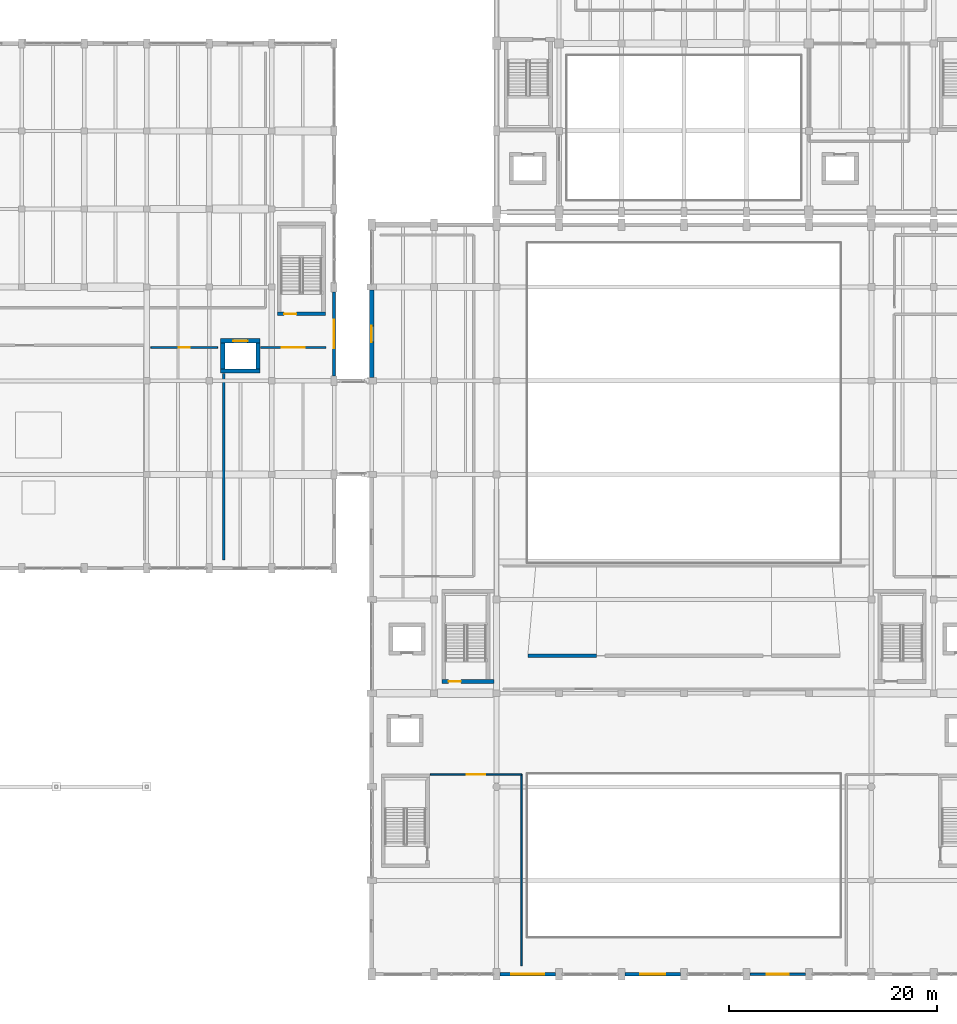
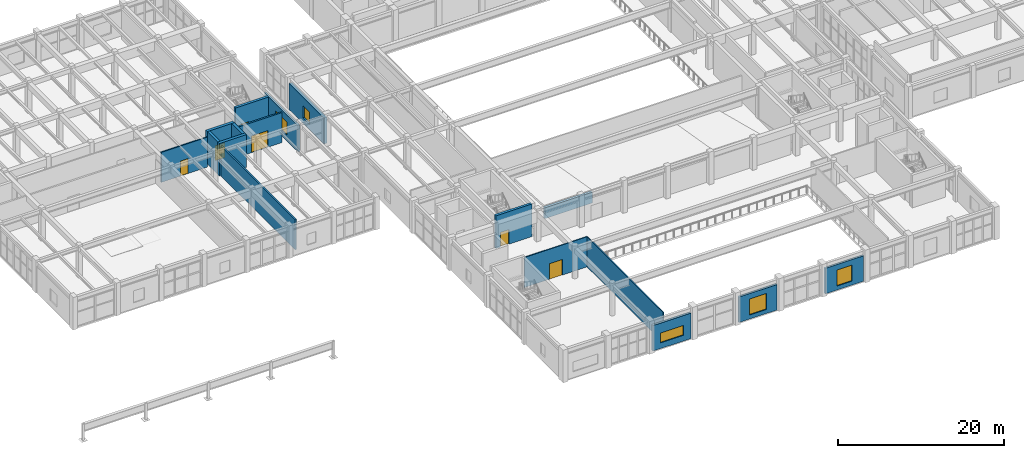
# One storey, part 61 of 85: 17 walls, 6 doors, 5 windows, 11 openings.
"""IFC4 building model written with IfcOpenShell, lengths in metres."""

from ifc_helpers import new_model, si_unit, direction, frame, frame_2d, origin, place, context, subcontext, project, spatial, rectangle, extrude, material, layer, layer_set, type_object, element, fill, save


model = new_model("IFC4")

# Units and contexts
model_context = context("Model", 3, precision=1e-05, world=origin(), true_north=direction((0.0, 1.0)))
body_context = subcontext(model_context, "Body", "Model", "MODEL_VIEW")
ifc_project = project(units=[si_unit("LENGTHUNIT", "METRE"), si_unit("AREAUNIT", "SQUARE_METRE"), si_unit("VOLUMEUNIT", "CUBIC_METRE"), si_unit("PLANEANGLEUNIT", "RADIAN"), si_unit("MASSUNIT", "GRAM", prefix="KILO")], contexts=[model_context])

# Site, building, storey
site_placement = place(None, origin())
site = spatial("IfcSite", under=ifc_project, at=site_placement, CompositionType="ELEMENT")
building_placement = place(site_placement, origin())
building = spatial("IfcBuilding", under=site, at=building_placement, Name="Vaelkrest Opera House", CompositionType="ELEMENT")
storey_placement = place(building_placement, frame((0.0, 0.0, 10.199951171875)))
storey = spatial("IfcBuildingStorey", under=building, at=storey_placement, Name="L02", CompositionType="ELEMENT", Elevation=10.199951171875)

# Wall, opening, window
ifc_material_1 = material(Name="Douglas fir glulam GL28h", Category="wood")
ifc_layer_1 = layer(ifc_material_1, 0.27490234375)
ifc_layer_set_1 = layer_set([ifc_layer_1], Name="Douglas fir glulam GL28h")
wall_type_1 = type_object("IfcWallType", Name="EW02", PredefinedType="STANDARD", material=ifc_layer_set_1)
wall_1_placement = place(storey_placement, frame((11.652099609375, -55.800048828125, 0.0), z_axis=(0.0, 0.0, 1.0), x_axis=(-1.0, 0.0, 0.0)))
wall_1 = element("IfcWall", 1, at=wall_1_placement, inside=storey, type_object=wall_type_1, Name="Exterior facade wall EW-V1-L02-0052", PredefinedType="STANDARD", context=body_context, shape_type="SweptSolid", body=[
    extrude(rectangle(XDim=5.30419921875, YDim=0.27490234375, at=frame_2d((2.652099609375, 0.0))), origin(), (0.0, 0.0, 1.0), 3.7451171875),
])
opening_1_placement = place(wall_1_placement, frame((1.60205078125, 0.0, 0.60009765625)))
opening_1 = element("IfcOpeningElement", 2, at=opening_1_placement, cuts=wall_1, Name="Opening WN023", PredefinedType="OPENING", context=body_context, shape_type="SweptSolid", body=[
    extrude(rectangle(XDim=2.10009765625, YDim=2.35009765625, at=frame_2d((1.050048828125, 1.175048828125))), frame((0.0, 0.1474609375, 0.0), z_axis=(0.0, -1.0, 0.0), x_axis=(1.0, 0.0, 0.0)), (0.0, 0.0, 1.0), 0.294921875),
])
ifc_material_2 = material(Name="Double low-E insulated glazing", Category="glass")
window_type_1 = type_object("IfcWindowType", Name="WT23", PartitioningType="SINGLE_PANEL", PredefinedType="WINDOW", material=ifc_material_2)
window_1_placement = place(opening_1_placement, origin())
window_1 = element("IfcWindow", 3, at=window_1_placement, inside=storey, type_object=window_type_1, Name="Facade window WN023", OverallHeight=2.35009765625, OverallWidth=2.10009765625, PartitioningType="SINGLE_PANEL", PredefinedType="WINDOW", context=body_context, shape_type="SweptSolid", body=[
    extrude(rectangle(XDim=2.10009765625, YDim=2.35009765625, at=frame_2d((1.050048828125, 1.175048828125))), frame((0.0, 0.030029296875, 0.0), z_axis=(0.0, -1.0, 0.0), x_axis=(1.0, 0.0, 0.0)), (0.0, 0.0, 1.0), 0.06005859375),
])
fill(opening_1, window_1)

wall_2_placement = place(storey_placement, frame((-33.60009765625, 9.751953125, 0.0), z_axis=(0.0, 0.0, 1.0), x_axis=(0.0, -1.0, 0.0)))
wall_2 = element("IfcWall", 4, at=wall_2_placement, inside=storey, type_object=wall_type_1, Name="Exterior facade wall EW-V3-L02-0182", PredefinedType="STANDARD", context=body_context, shape_type="SweptSolid", body=[
    extrude(rectangle(XDim=8.10400390625, YDim=0.27490234375, at=frame_2d((4.052001953125, 0.0))), origin(), (0.0, 0.0, 1.0), 3.8291015625),
])
opening_2_placement = place(wall_2_placement, frame((2.677001953125, 0.0, 0.85009765625)))
opening_2 = element("IfcOpeningElement", 5, at=opening_2_placement, cuts=wall_2, Name="Opening WN090", PredefinedType="OPENING", context=body_context, shape_type="SweptSolid", body=[
    extrude(rectangle(XDim=2.75, YDim=1.949951171875, at=frame_2d((1.375, 0.97509765625))), frame((0.0, 0.1474609375, 0.0), z_axis=(0.0, -1.0, 0.0), x_axis=(1.0, 0.0, 0.0)), (0.0, 0.0, 1.0), 0.294921875),
])
window_type_2 = type_object("IfcWindowType", Name="WT12", PartitioningType="SINGLE_PANEL", PredefinedType="WINDOW", material=ifc_material_2)
window_2_placement = place(opening_2_placement, origin())
window_2 = element("IfcWindow", 6, at=window_2_placement, inside=storey, type_object=window_type_2, Name="Facade window WN090", OverallHeight=1.949951171875, OverallWidth=2.75, PartitioningType="SINGLE_PANEL", PredefinedType="WINDOW", context=body_context, shape_type="SweptSolid", body=[
    extrude(rectangle(XDim=2.75, YDim=1.949951171875, at=frame_2d((1.375, 0.97509765625))), frame((0.0, 0.030029296875, 0.0), z_axis=(0.0, -1.0, 0.0), x_axis=(1.0, 0.0, 0.0)), (0.0, 0.0, 1.0), 0.06005859375),
])
fill(opening_2, window_2)

ifc_layer_2 = layer(ifc_material_1, 0.294921875)
ifc_layer_set_2 = layer_set([ifc_layer_2], Name="Douglas fir glulam GL28h")
wall_type_2 = type_object("IfcWallType", Name="EW03", PredefinedType="STANDARD", material=ifc_layer_set_2)
wall_3_placement = place(storey_placement, frame((-0.347900390625, -55.800048828125, 0.0), z_axis=(0.0, 0.0, 1.0), x_axis=(-1.0, 0.0, 0.0)))
wall_3 = element("IfcWall", 7, at=wall_3_placement, inside=storey, type_object=wall_type_2, Name="Exterior facade wall EW-V1-L02-0053", PredefinedType="STANDARD", context=body_context, shape_type="SweptSolid", body=[
    extrude(rectangle(XDim=5.30419921875, YDim=0.294921875, at=frame_2d((2.652099609375, 0.0))), origin(), (0.0, 0.0, 1.0), 3.7451171875),
])
opening_3_placement = place(wall_3_placement, frame((1.451904296875, 0.0, 0.60009765625)))
opening_3 = element("IfcOpeningElement", 8, at=opening_3_placement, cuts=wall_3, Name="Opening WN024", PredefinedType="OPENING", context=body_context, shape_type="SweptSolid", body=[
    extrude(rectangle(XDim=2.39990234375, YDim=2.35009765625, at=frame_2d((1.199951171875, 1.175048828125))), frame((0.0, 0.157470703125, 0.0), z_axis=(0.0, -1.0, 0.0), x_axis=(1.0, 0.0, 0.0)), (0.0, 0.0, 1.0), 0.31494140625),
])
window_type_3 = type_object("IfcWindowType", Name="WT24", PartitioningType="SINGLE_PANEL", PredefinedType="WINDOW", material=ifc_material_2)
window_3_placement = place(opening_3_placement, origin())
window_3 = element("IfcWindow", 9, at=window_3_placement, inside=storey, type_object=window_type_3, Name="Facade window WN024", OverallHeight=2.35009765625, OverallWidth=2.39990234375, PartitioningType="SINGLE_PANEL", PredefinedType="WINDOW", context=body_context, shape_type="SweptSolid", body=[
    extrude(rectangle(XDim=2.39990234375, YDim=2.35009765625, at=frame_2d((1.199951171875, 1.175048828125))), frame((0.0, 0.030029296875, 0.0), z_axis=(0.0, -1.0, 0.0), x_axis=(1.0, 0.0, 0.0)), (0.0, 0.0, 1.0), 0.06005859375),
])
fill(opening_3, window_3)

ifc_material_3 = material(Name="American black walnut acoustic timber", Category="wood")
ifc_layer_3 = layer(ifc_material_3, 0.31494140625)
ifc_layer_set_3 = layer_set([ifc_layer_3], Name="American black walnut acoustic timber")
wall_type_3 = type_object("IfcWallType", Name="EW04", PredefinedType="STANDARD", material=ifc_layer_set_3)
wall_4_placement = place(storey_placement, frame((-12.347900390625, -55.800048828125, 0.0), z_axis=(0.0, 0.0, 1.0), x_axis=(-1.0, 0.0, 0.0)))
wall_4 = element("IfcWall", 10, at=wall_4_placement, inside=storey, type_object=wall_type_3, Name="Exterior facade wall EW-V1-L02-0054", PredefinedType="STANDARD", context=body_context, shape_type="SweptSolid", body=[
    extrude(rectangle(XDim=5.30419921875, YDim=0.31494140625, at=frame_2d((2.652099609375, 0.0))), origin(), (0.0, 0.0, 1.0), 3.7451171875),
])
opening_4_placement = place(wall_4_placement, frame((1.052001953125, 0.0, 0.85009765625)))
opening_4 = element("IfcOpeningElement", 11, at=opening_4_placement, cuts=wall_4, Name="Opening WN025", PredefinedType="OPENING", context=body_context, shape_type="SweptSolid", body=[
    extrude(rectangle(XDim=3.199951171875, YDim=1.449951171875, at=frame_2d((1.60009765625, 0.72509765625))), frame((0.0, 0.16748046875, 0.0), z_axis=(0.0, -1.0, 0.0), x_axis=(1.0, 0.0, 0.0)), (0.0, 0.0, 1.0), 0.3349609375),
])
window_type_4 = type_object("IfcWindowType", Name="WT25", PartitioningType="SINGLE_PANEL", PredefinedType="WINDOW", material=ifc_material_2)
window_4_placement = place(opening_4_placement, origin())
window_4 = element("IfcWindow", 12, at=window_4_placement, inside=storey, type_object=window_type_4, Name="Facade window WN025", OverallHeight=1.449951171875, OverallWidth=3.199951171875, PartitioningType="SINGLE_PANEL", PredefinedType="WINDOW", context=body_context, shape_type="SweptSolid", body=[
    extrude(rectangle(XDim=3.199951171875, YDim=1.449951171875, at=frame_2d((1.60009765625, 0.72509765625))), frame((0.0, 0.030029296875, 0.0), z_axis=(0.0, -1.0, 0.0), x_axis=(1.0, 0.0, 0.0)), (0.0, 0.0, 1.0), 0.06005859375),
])
fill(opening_4, window_4)

ifc_material_4 = material(Name="Concrete C40/50", Category="concrete")
ifc_layer_4 = layer(ifc_material_4, 0.43505859375)
ifc_layer_set_4 = layer_set([ifc_layer_4], Name="Concrete C40/50")
wall_type_4 = type_object("IfcWallType", Name="EW09", PredefinedType="STANDARD", material=ifc_layer_set_4)
wall_5_placement = place(storey_placement, frame((-30.0, 1.498046875, 0.0), z_axis=(0.0, 0.0, 1.0), x_axis=(0.0, 1.0, 0.0)))
wall_5 = element("IfcWall", 13, at=wall_5_placement, inside=storey, type_object=wall_type_4, Name="Exterior facade wall EW-V1-L02-0059", PredefinedType="STANDARD", context=body_context, shape_type="SweptSolid", body=[
    extrude(rectangle(XDim=8.404052734375, YDim=0.43505859375, at=frame_2d((4.2021484375, 0.0))), origin(), (0.0, 0.0, 1.0), 3.8291015625),
])
opening_5_placement = place(wall_5_placement, frame((3.427001953125, 0.0, 0.85009765625)))
opening_5 = element("IfcOpeningElement", 14, at=opening_5_placement, cuts=wall_5, Name="Opening WN030", PredefinedType="OPENING", context=body_context, shape_type="SweptSolid", body=[
    extrude(rectangle(XDim=1.550048828125, YDim=1.75, at=frame_2d((0.77490234375, 0.875))), frame((0.0, 0.2275390625, 0.0), z_axis=(0.0, -1.0, 0.0), x_axis=(1.0, 0.0, 0.0)), (0.0, 0.0, 1.0), 0.455078125),
])
window_type_5 = type_object("IfcWindowType", Name="WT04", PartitioningType="SINGLE_PANEL", PredefinedType="WINDOW", material=ifc_material_2)
window_5_placement = place(opening_5_placement, origin())
window_5 = element("IfcWindow", 15, at=window_5_placement, inside=storey, type_object=window_type_5, Name="Facade window WN030", OverallHeight=1.75, OverallWidth=1.550048828125, PartitioningType="SINGLE_PANEL", PredefinedType="WINDOW", context=body_context, shape_type="SweptSolid", body=[
    extrude(rectangle(XDim=1.550048828125, YDim=1.75, at=frame_2d((0.77490234375, 0.875))), frame((0.0, 0.030029296875, 0.0), z_axis=(0.0, -1.0, 0.0), x_axis=(1.0, 0.0, 0.0)), (0.0, 0.0, 1.0), 0.06005859375),
])
fill(opening_5, window_5)

# Wall, opening, door
ifc_material_5 = material(Name="Gypsum acoustic board", Category="gypsum")
ifc_layer_5 = layer(ifc_material_5, 0.135009765625)
ifc_layer_set_5 = layer_set([ifc_layer_5], Name="Gypsum acoustic board")
wall_type_5 = type_object("IfcWallType", Name="PT02", PredefinedType="PARTITIONING", material=ifc_layer_set_5)
wall_6_placement = place(storey_placement, frame((-24.35009765625, -36.60009765625, 0.0), z_axis=(0.0, 0.0, 1.0), x_axis=(1.0, 0.0, 0.0)))
wall_6 = element("IfcWall", 16, at=wall_6_placement, inside=storey, type_object=wall_type_5, Name="Interior partition PT-V1-L02-0072", PredefinedType="PARTITIONING", context=body_context, shape_type="SweptSolid", body=[
    extrude(rectangle(XDim=8.75, YDim=0.135009765625, at=frame_2d((4.375, 0.0))), origin(), (0.0, 0.0, 1.0), 4.420166015625),
])
opening_6_placement = place(wall_6_placement, frame((3.485107421875, 0.0, 0.0)))
opening_6 = element("IfcOpeningElement", 17, at=opening_6_placement, cuts=wall_6, Name="Opening D028", PredefinedType="OPENING", context=body_context, shape_type="SweptSolid", body=[
    extrude(rectangle(XDim=1.780029296875, YDim=2.300048828125, at=frame_2d((0.89013671875, 1.14990234375))), frame((0.0, 0.077392578125, 0.0), z_axis=(0.0, -1.0, 0.0), x_axis=(1.0, 0.0, 0.0)), (0.0, 0.0, 1.0), 0.155029296875),
])
door_type_1 = type_object("IfcDoorType", Name="DT20", OperationType="DOUBLE_DOOR_SINGLE_SWING", PredefinedType="DOOR", material=ifc_material_3)
door_1_placement = place(opening_6_placement, origin())
door_1 = element("IfcDoor", 18, at=door_1_placement, inside=storey, type_object=door_type_1, Name="Interior door D028 (Mezzo Foyer)", OperationType="DOUBLE_DOOR_SINGLE_SWING", OverallHeight=2.300048828125, OverallWidth=1.780029296875, PredefinedType="DOOR", context=body_context, shape_type="SweptSolid", body=[
    extrude(rectangle(XDim=1.780029296875, YDim=2.300048828125, at=frame_2d((0.89013671875, 1.14990234375))), frame((0.0, 0.02490234375, 0.0), z_axis=(0.0, -1.0, 0.0), x_axis=(1.0, 0.0, 0.0)), (0.0, 0.0, 1.0), 0.050048828125),
])
fill(opening_6, door_1)

# Wall
ifc_layer_6 = layer(ifc_material_5, 0.14990234375)
ifc_layer_set_6 = layer_set([ifc_layer_6], Name="Gypsum acoustic board")
wall_type_6 = type_object("IfcWallType", Name="PT03", PredefinedType="PARTITIONING", material=ifc_layer_set_6)
wall_7_placement = place(storey_placement, frame((-15.60009765625, -55.0, 0.0), z_axis=(0.0, 0.0, 1.0), x_axis=(0.0, 1.0, 0.0)))
element("IfcWall", 19, at=wall_7_placement, inside=storey, type_object=wall_type_6, Name="Interior partition PT-V1-L02-0073", PredefinedType="PARTITIONING", context=body_context, shape_type="SweptSolid", body=[
    extrude(rectangle(XDim=18.39990234375, YDim=0.14990234375, at=frame_2d((9.199951171875, 0.0))), origin(), (0.0, 0.0, 1.0), 4.420166015625),
])

# Wall, opening, door
ifc_layer_7 = layer(ifc_material_5, 0.1650390625)
ifc_layer_set_7 = layer_set([ifc_layer_7], Name="Gypsum acoustic board")
wall_type_7 = type_object("IfcWallType", Name="PT04", PredefinedType="PARTITIONING", material=ifc_layer_set_7)
wall_8_placement = place(storey_placement, frame((-51.199951171875, 4.39990234375, 0.0), z_axis=(0.0, 0.0, 1.0), x_axis=(1.0, 0.0, 0.0)))
wall_8 = element("IfcWall", 20, at=wall_8_placement, inside=storey, type_object=wall_type_7, Name="Interior partition PT-V3-L02-0298", PredefinedType="PARTITIONING", context=body_context, shape_type="SweptSolid", body=[
    extrude(rectangle(XDim=6.39990234375, YDim=0.1650390625, at=frame_2d((3.199951171875, 0.0))), origin(), (0.0, 0.0, 1.0), 4.420166015625),
])
opening_7_placement = place(wall_8_placement, frame((2.679931640625, 0.0, 0.0)))
opening_7 = element("IfcOpeningElement", 21, at=opening_7_placement, cuts=wall_8, Name="Opening D118", PredefinedType="OPENING", context=body_context, shape_type="SweptSolid", body=[
    extrude(rectangle(XDim=1.0400390625, YDim=2.199951171875, at=frame_2d((0.52001953125, 1.10009765625))), frame((0.0, 0.092529296875, 0.0), z_axis=(0.0, -1.0, 0.0), x_axis=(1.0, 0.0, 0.0)), (0.0, 0.0, 1.0), 0.18505859375),
])
door_type_2 = type_object("IfcDoorType", Name="DT22", OperationType="NOTDEFINED", PredefinedType="DOOR", material=ifc_material_3)
door_2_placement = place(opening_7_placement, origin())
door_2 = element("IfcDoor", 22, at=door_2_placement, inside=storey, type_object=door_type_2, Name="Interior door D118 (Community Room)", OperationType="SINGLE_SWING_RIGHT", OverallHeight=2.199951171875, OverallWidth=1.0400390625, PredefinedType="DOOR", context=body_context, shape_type="SweptSolid", body=[
    extrude(rectangle(XDim=1.0400390625, YDim=2.199951171875, at=frame_2d((0.52001953125, 1.10009765625))), frame((0.0, 0.02490234375, 0.0), z_axis=(0.0, -1.0, 0.0), x_axis=(1.0, 0.0, 0.0)), (0.0, 0.0, 1.0), 0.050048828125),
])
fill(opening_7, door_2)

# Wall
ifc_layer_8 = layer(ifc_material_3, 0.2099609375)
ifc_layer_set_8 = layer_set([ifc_layer_8], Name="American black walnut acoustic timber")
wall_type_8 = type_object("IfcWallType", Name="PT07", PredefinedType="PARTITIONING", material=ifc_layer_set_8)
wall_9_placement = place(storey_placement, frame((-44.199951171875, -16.0, 0.0), z_axis=(0.0, 0.0, 1.0), x_axis=(0.0, 1.0, 0.0)))
element("IfcWall", 23, at=wall_9_placement, inside=storey, type_object=wall_type_8, Name="Interior partition PT-V3-L02-0303", PredefinedType="PARTITIONING", context=body_context, shape_type="SweptSolid", body=[
    extrude(rectangle(XDim=17.89990234375, YDim=0.2099609375, at=frame_2d((8.949951171875, 0.0))), origin(), (0.0, 0.0, 1.0), 4.420166015625),
])

# Wall, opening, door
ifc_layer_9 = layer(ifc_material_3, 0.22509765625)
ifc_layer_set_9 = layer_set([ifc_layer_9], Name="American black walnut acoustic timber")
wall_type_9 = type_object("IfcWallType", Name="PT08", PredefinedType="PARTITIONING", material=ifc_layer_set_9)
wall_10_placement = place(storey_placement, frame((-40.64990234375, 4.39990234375, 0.0), z_axis=(0.0, 0.0, 1.0), x_axis=(1.0, 0.0, 0.0)))
wall_10 = element("IfcWall", 24, at=wall_10_placement, inside=storey, type_object=wall_type_9, Name="Interior partition PT-V3-L02-0302", PredefinedType="PARTITIONING", context=body_context, shape_type="SweptSolid", body=[
    extrude(rectangle(XDim=6.25, YDim=0.22509765625, at=frame_2d((3.125, 0.0))), origin(), (0.0, 0.0, 1.0), 4.420166015625),
])
opening_8_placement = place(wall_10_placement, frame((2.0, 0.0, 0.0)))
opening_8 = element("IfcOpeningElement", 25, at=opening_8_placement, cuts=wall_10, Name="Opening D120", PredefinedType="OPENING", context=body_context, shape_type="SweptSolid", body=[
    extrude(rectangle(XDim=2.25, YDim=2.449951171875, at=frame_2d((1.125, 1.22509765625))), frame((0.0, 0.12255859375, 0.0), z_axis=(0.0, -1.0, 0.0), x_axis=(1.0, 0.0, 0.0)), (0.0, 0.0, 1.0), 0.2451171875),
])
door_type_3 = type_object("IfcDoorType", Name="DT26", OperationType="DOUBLE_DOOR_SINGLE_SWING", PredefinedType="DOOR", material=ifc_material_3)
door_3_placement = place(opening_8_placement, origin())
door_3 = element("IfcDoor", 26, at=door_3_placement, inside=storey, type_object=door_type_3, Name="Interior door D120 (Chamber Rehearsal Room)", OperationType="DOUBLE_DOOR_SINGLE_SWING", OverallHeight=2.449951171875, OverallWidth=2.25, PredefinedType="DOOR", context=body_context, shape_type="SweptSolid", body=[
    extrude(rectangle(XDim=2.25, YDim=2.449951171875, at=frame_2d((1.125, 1.22509765625))), frame((0.0, 0.02490234375, 0.0), z_axis=(0.0, -1.0, 0.0), x_axis=(1.0, 0.0, 0.0)), (0.0, 0.0, 1.0), 0.050048828125),
])
fill(opening_8, door_3)

# Wall
ifc_material_6 = material(Name="Concrete C50/60", Category="concrete")
ifc_layer_10 = layer(ifc_material_6, 0.35009765625)
ifc_layer_set_10 = layer_set([ifc_layer_10], Name="Concrete C50/60")
wall_type_10 = type_object("IfcWallType", Name="SW01", PredefinedType="SHEAR", material=ifc_layer_set_10)
wall_11_placement = place(storey_placement, frame((-15.0, -25.199951171875, 0.0), z_axis=(0.0, 0.0, 1.0), x_axis=(1.0, 0.0, 0.0)))
element("IfcWall", 27, at=wall_11_placement, inside=storey, type_object=wall_type_10, Name="Auditorium seating tier rear wall L02-1", PredefinedType="SHEAR", context=body_context, shape_type="SweptSolid", body=[
    extrude(rectangle(XDim=6.60009765625, YDim=0.35009765625, at=frame_2d((3.300048828125, 0.0))), origin(), (0.0, 0.0, 1.0), 1.590087890625),
])

# Wall, opening, door
wall_12_placement = place(storey_placement, frame((-18.22509765625, -27.675048828125, 0.0), z_axis=(0.0, 0.0, 1.0), x_axis=(-1.0, 0.0, 0.0)))
wall_12 = element("IfcWall", 28, at=wall_12_placement, inside=storey, type_object=wall_type_10, Name="Stair core ST01 wall L02 S", PredefinedType="SHEAR", context=body_context, shape_type="SweptSolid", body=[
    extrude(rectangle(XDim=5.02490234375, YDim=0.35009765625, at=frame_2d((2.512451171875, 0.0))), origin(), (0.0, 0.0, 1.0), 4.800048828125),
])
opening_9_placement = place(wall_12_placement, frame((3.195068359375, 0.0, 0.0)))
opening_9 = element("IfcOpeningElement", 29, at=opening_9_placement, cuts=wall_12, Name="Opening SD-ST01-L02", PredefinedType="OPENING", context=body_context, shape_type="SweptSolid", body=[
    extrude(rectangle(XDim=1.179931640625, YDim=2.14990234375, at=frame_2d((0.58984375, 1.074951171875))), frame((0.0, 0.18505859375, 0.0), z_axis=(0.0, -1.0, 0.0), x_axis=(1.0, 0.0, 0.0)), (0.0, 0.0, 1.0), 0.3701171875),
])
door_type_4 = type_object("IfcDoorType", Name="DT07", OperationType="NOTDEFINED", PredefinedType="DOOR", material=ifc_material_3)
door_4_placement = place(opening_9_placement, origin())
door_4 = element("IfcDoor", 30, at=door_4_placement, inside=storey, type_object=door_type_4, Name="Protected stair door SD-ST01-L02", OperationType="SINGLE_SWING_LEFT", OverallHeight=2.14990234375, OverallWidth=1.179931640625, PredefinedType="DOOR", context=body_context, shape_type="SweptSolid", body=[
    extrude(rectangle(XDim=1.179931640625, YDim=2.14990234375, at=frame_2d((0.58984375, 1.074951171875))), frame((0.0, 0.02490234375, 0.0), z_axis=(0.0, -1.0, 0.0), x_axis=(1.0, 0.0, 0.0)), (0.0, 0.0, 1.0), 0.050048828125),
])
fill(opening_9, door_4)

wall_13_placement = place(storey_placement, frame((-34.449951171875, 7.625, 0.0), z_axis=(0.0, 0.0, 1.0), x_axis=(-1.0, 0.0, 0.0)))
wall_13 = element("IfcWall", 31, at=wall_13_placement, inside=storey, type_object=wall_type_10, Name="Stair core ST08 wall L02 S", PredefinedType="SHEAR", context=body_context, shape_type="SweptSolid", body=[
    extrude(rectangle(XDim=4.60009765625, YDim=0.35009765625, at=frame_2d((2.300048828125, 0.0))), origin(), (0.0, 0.0, 1.0), 4.800048828125),
])
opening_10_placement = place(wall_13_placement, frame((2.77001953125, 0.0, 0.0)))
opening_10 = element("IfcOpeningElement", 32, at=opening_10_placement, cuts=wall_13, Name="Opening SD-ST08-L02", PredefinedType="OPENING", context=body_context, shape_type="SweptSolid", body=[
    extrude(rectangle(XDim=1.179931640625, YDim=2.14990234375, at=frame_2d((0.58984375, 1.074951171875))), frame((0.0, 0.18505859375, 0.0), z_axis=(0.0, -1.0, 0.0), x_axis=(1.0, 0.0, 0.0)), (0.0, 0.0, 1.0), 0.3701171875),
])
door_5_placement = place(opening_10_placement, origin())
door_5 = element("IfcDoor", 33, at=door_5_placement, inside=storey, type_object=door_type_4, Name="Protected stair door SD-ST08-L02", OperationType="SINGLE_SWING_LEFT", OverallHeight=2.14990234375, OverallWidth=1.179931640625, PredefinedType="DOOR", context=body_context, shape_type="SweptSolid", body=[
    extrude(rectangle(XDim=1.179931640625, YDim=2.14990234375, at=frame_2d((0.58984375, 1.074951171875))), frame((0.0, 0.02490234375, 0.0), z_axis=(0.0, -1.0, 0.0), x_axis=(1.0, 0.0, 0.0)), (0.0, 0.0, 1.0), 0.050048828125),
])
fill(opening_10, door_5)

# Wall
ifc_layer_11 = layer(ifc_material_6, 0.389892578125)
ifc_layer_set_11 = layer_set([ifc_layer_11], Name="Concrete C50/60")
wall_type_11 = type_object("IfcWallType", Name="SW02", PredefinedType="SHEAR", material=ifc_layer_set_11)
wall_14_placement = place(storey_placement, frame((-40.7099609375, 2.155029296875, 0.0), z_axis=(0.0, 0.0, 1.0), x_axis=(-1.0, 0.0, 0.0)))
element("IfcWall", 34, at=wall_14_placement, inside=storey, type_object=wall_type_11, Name="Lift shaft LP05 wall L02 S", PredefinedType="SHEAR", context=body_context, shape_type="SweptSolid", body=[
    extrude(rectangle(XDim=3.780029296875, YDim=0.389892578125, at=frame_2d((1.89013671875, 0.0))), origin(), (0.0, 0.0, 1.0), 4.800048828125),
])

# Wall, opening, door
wall_15_placement = place(storey_placement, frame((-44.489990234375, 5.044921875, 0.0), z_axis=(0.0, 0.0, 1.0), x_axis=(1.0, 0.0, 0.0)))
wall_15 = element("IfcWall", 35, at=wall_15_placement, inside=storey, type_object=wall_type_11, Name="Lift shaft LP05 wall L02 N", PredefinedType="SHEAR", context=body_context, shape_type="SweptSolid", body=[
    extrude(rectangle(XDim=3.780029296875, YDim=0.389892578125, at=frame_2d((1.89013671875, 0.0))), origin(), (0.0, 0.0, 1.0), 4.800048828125),
])
opening_11_placement = place(wall_15_placement, frame((1.18994140625, 0.0, 0.0)))
opening_11 = element("IfcOpeningElement", 36, at=opening_11_placement, cuts=wall_15, Name="Opening LD-LP05-L02", PredefinedType="OPENING", context=body_context, shape_type="SweptSolid", body=[
    extrude(rectangle(XDim=1.39990234375, YDim=2.199951171875, at=frame_2d((0.699951171875, 1.10009765625))), frame((0.0, 0.204833984375, 0.0), z_axis=(0.0, -1.0, 0.0), x_axis=(1.0, 0.0, 0.0)), (0.0, 0.0, 1.0), 0.409912109375),
])
ifc_material_7 = material(Name="Dark bronze anodized aluminium", Category="aluminium")
door_type_5 = type_object("IfcDoorType", Name="LDT02", OperationType="SLIDING_TO_LEFT", PredefinedType="DOOR", material=ifc_material_7)
door_6_placement = place(opening_11_placement, origin())
door_6 = element("IfcDoor", 37, at=door_6_placement, inside=storey, type_object=door_type_5, Name="Lift landing sliding door LD-LP05-L02", OperationType="SLIDING_TO_LEFT", OverallHeight=2.199951171875, OverallWidth=1.39990234375, PredefinedType="DOOR", context=body_context, shape_type="SweptSolid", body=[
    extrude(rectangle(XDim=1.39990234375, YDim=2.199951171875, at=frame_2d((0.699951171875, 1.10009765625))), frame((0.0, 0.02490234375, 0.0), z_axis=(0.0, -1.0, 0.0), x_axis=(1.0, 0.0, 0.0)), (0.0, 0.0, 1.0), 0.050048828125),
])
fill(opening_11, door_6)

# Walls
for number, where, z_axis, x_axis, name in (
    (38, (-44.294921875, 2.35009765625, 0.0), (0.0, 0.0, 1.0), (0.0, 1.0, 0.0), "Lift shaft LP05 wall L02 W"),
    (39, (-40.905029296875, 4.85009765625, 0.0), (0.0, 0.0, 1.0), (0.0, -1.0, 0.0), "Lift shaft LP05 wall L02 E"),
):
    element("IfcWall", number, at=place(storey_placement, frame(where, z_axis=z_axis, x_axis=x_axis)), inside=storey, type_object=wall_type_11, Name=name, PredefinedType="SHEAR", context=body_context, shape_type="SweptSolid", body=[
        extrude(rectangle(XDim=2.5, YDim=0.389892578125, at=frame_2d((1.25, 0.0))), origin(), (0.0, 0.0, 1.0), 4.800048828125),
    ])

save(model, "model.ifc")
